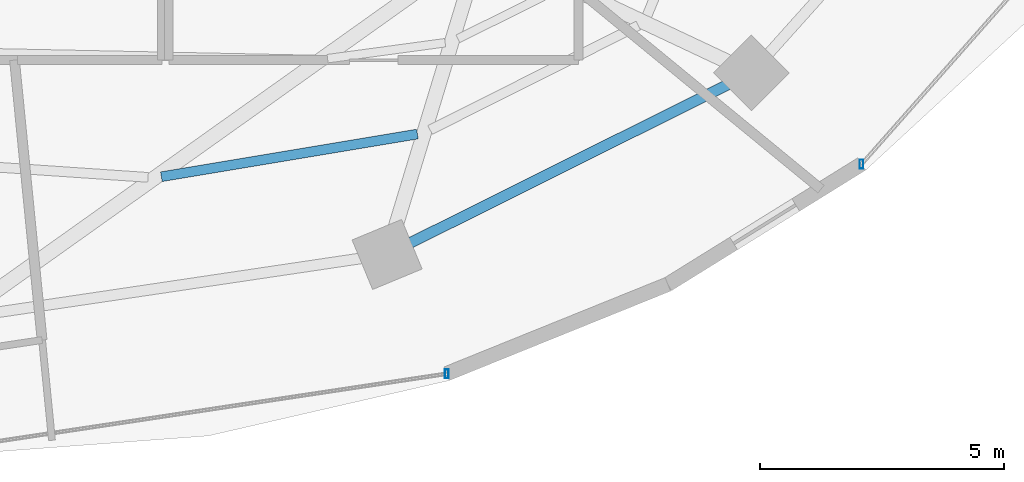
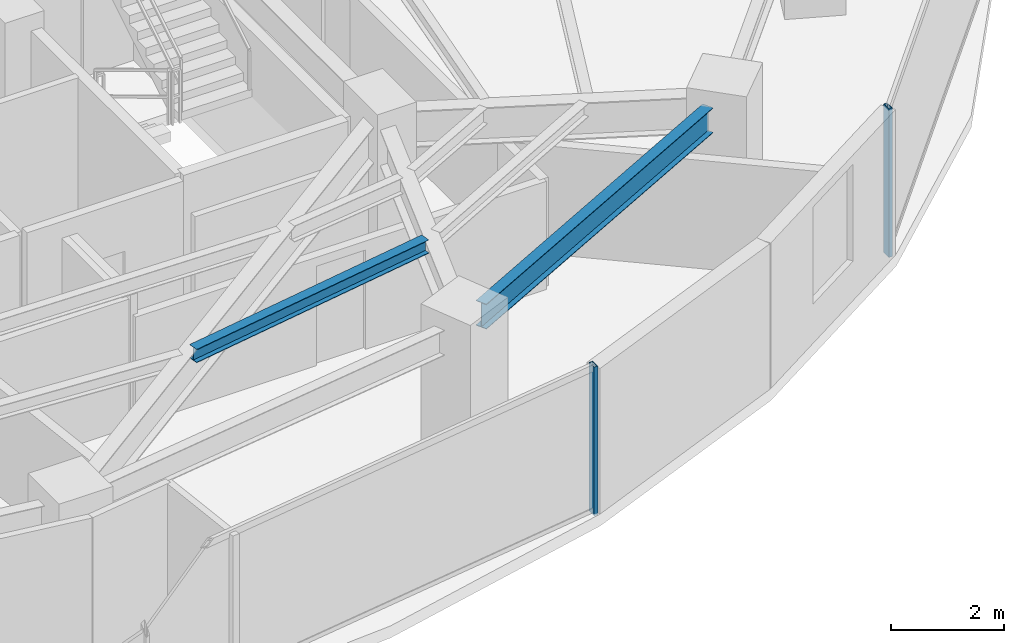
# One storey, part 11 of 29: 2 beams, 2 members, 2 elements without a shape of their own.
"""IFC4 building model written with IfcOpenShell, lengths in metres."""

import ifcopenshell
import ifcopenshell.guid

model = None  # the IFC model being written
_history = None  # IfcOwnerHistory: only IFC2X3 demands one
_inside = {}  # id of a spatial element -> (the spatial element, [elements in it])
_under = {}  # id of a project, library or spatial element -> (it, [spatial elements below it])
_declared = {}  # id of a project -> (the project, [libraries it declares])
_typed = {}  # id of a type object -> (the type object, [elements of that type])
_made_of = {}  # id of a material, layer set ... -> (it, [elements and type objects made of it])


def new_model(schema):
    """Start an empty IFC model of exactly this schema.

    Asked for "IFC4X3", IfcOpenShell would pick the latest addendum, in which some entities
    have other attributes; the version numbers below select the first issue.
    IFC2X3 requires an IfcOwnerHistory on every rooted entity: one is made here for all.
    """
    global model, _history
    if schema == "IFC4X3":
        model = ifcopenshell.file(schema_version=(4, 3, 0, 0))
    else:
        model = ifcopenshell.file(schema=schema)
    _inside.clear()
    _under.clear()
    _declared.clear()
    _typed.clear()
    _made_of.clear()
    _history = None
    if model.schema == "IFC2X3":
        org = make("IfcOrganization", Name="unknown")
        user = make(
            "IfcPersonAndOrganization",
            ThePerson=make("IfcPerson", FamilyName="unknown"),
            TheOrganization=org,
        )
        app = make(
            "IfcApplication",
            ApplicationDeveloper=org,
            Version="unknown",
            ApplicationFullName="unknown",
            ApplicationIdentifier="unknown",
        )
        _history = make(
            "IfcOwnerHistory",
            OwningUser=user,
            OwningApplication=app,
            ChangeAction="ADDED",
            CreationDate=0,
        )
    return model


def make(cls, **values):
    """One entity of the class cls with the attributes given. An attribute that is None is left unset."""
    return model.create_entity(
        cls, **{name: value for name, value in values.items() if value is not None}
    )


def rooted(cls, **values):
    """An entity with a GlobalId (a new one), such as an element, a storey or a relation."""
    return make(cls, GlobalId=ifcopenshell.guid.new(), OwnerHistory=_history, **values)


def si_unit(unit_type, name, prefix=None):
    """IfcSIUnit, for example si_unit("LENGTHUNIT", "METRE", prefix="MILLI")."""
    return make("IfcSIUnit", UnitType=unit_type, Prefix=prefix, Name=name)


def assignment(units):
    """IfcUnitAssignment: the units of a project."""
    return None if units is None else make("IfcUnitAssignment", Units=units)


def point(xyz):
    """IfcCartesianPoint."""
    return None if xyz is None else make("IfcCartesianPoint", Coordinates=xyz)


def direction(xyz):
    """IfcDirection."""
    return None if xyz is None else make("IfcDirection", DirectionRatios=xyz)


def frame(location, z_axis=None, x_axis=None):
    """IfcAxis2Placement3D, a coordinate frame: its origin and axes. An axis left out is left unset."""
    return make(
        "IfcAxis2Placement3D",
        Location=point(location),
        Axis=direction(z_axis),
        RefDirection=direction(x_axis),
    )


def frame_2d(location, x_axis=None):
    """IfcAxis2Placement2D, a coordinate frame in the plane: its origin and x axis."""
    return make(
        "IfcAxis2Placement2D", Location=point(location), RefDirection=direction(x_axis)
    )


def origin():
    """The frame at (0, 0, 0) with its axes left unset."""
    return frame((0.0, 0.0, 0.0))


def origin_2d():
    """The frame at (0, 0) in the plane with its x axis left unset."""
    return frame_2d((0.0, 0.0))


def place(relative_to, where):
    """IfcLocalPlacement: puts the frame where relative to a parent placement (None: the world)."""
    return make(
        "IfcLocalPlacement", PlacementRelTo=relative_to, RelativePlacement=where
    )


def context(
    kind, dimensions, precision=None, world=None, true_north=None, identifier=None
):
    """IfcGeometricRepresentationContext, for example the 3D "Model" context."""
    return make(
        "IfcGeometricRepresentationContext",
        ContextIdentifier=identifier,
        ContextType=kind,
        CoordinateSpaceDimension=dimensions,
        Precision=precision,
        WorldCoordinateSystem=world,
        TrueNorth=true_north,
    )


def subcontext(parent, identifier, kind, view, scale=None):
    """IfcGeometricRepresentationSubContext, for example "Body" below "Model"."""
    return make(
        "IfcGeometricRepresentationSubContext",
        ContextIdentifier=identifier,
        ContextType=kind,
        ParentContext=parent,
        TargetScale=scale,
        TargetView=view,
    )


def project(units=None, contexts=None):
    """IfcProject with its units and contexts."""
    return rooted(
        "IfcProject",
        Name="project",
        RepresentationContexts=contexts,
        UnitsInContext=assignment(units),
    )


def spatial(cls, under=None, at=None, **own):
    """A site, building, storey or space (cls), placed at a placement, below another one or the project."""
    s = rooted(cls, ObjectPlacement=at, **own)
    if under is not None:
        _under.setdefault(under.id(), (under, []))[1].append(s)
    return s


def profile(cls, at=None, kind="AREA", **sizes):
    """A parametric profile (cls). Its sizes go by their IFC names, for example OverallWidth=200.0."""
    return make(cls, ProfileType=kind, Position=at, **sizes)


def hollow_rectangle(**sizes):
    """IfcRectangleHollowProfileDef."""
    return profile("IfcRectangleHollowProfileDef", **sizes)


def i_section(**sizes):
    """IfcIShapeProfileDef."""
    return profile("IfcIShapeProfileDef", **sizes)


def extrude(swept, where, along, depth):
    """IfcExtrudedAreaSolid: the profile swept, set in the frame where, extruded along a direction by depth."""
    return make(
        "IfcExtrudedAreaSolid",
        SweptArea=swept,
        Position=where,
        ExtrudedDirection=direction(along),
        Depth=depth,
    )


def shape(context_of_items, identifier, shape_type, items):
    """IfcShapeRepresentation: the items that make up one representation, for example the "Body"."""
    return make(
        "IfcShapeRepresentation",
        ContextOfItems=context_of_items,
        RepresentationIdentifier=identifier,
        RepresentationType=shape_type,
        Items=items,
    )


def material(Name=None, Category=None):
    """IfcMaterial."""
    return make("IfcMaterial", Name=Name, Category=Category)


def material_profile(
    of_material, cross_section, Name=None, Category=None, Priority=None
):
    """IfcMaterialProfile: a cross section and its material."""
    return make(
        "IfcMaterialProfile",
        Name=Name,
        Material=of_material,
        Profile=cross_section,
        Priority=Priority,
        Category=Category,
    )


def profile_set(profiles, Name=None, composite=None):
    """IfcMaterialProfileSet."""
    return make(
        "IfcMaterialProfileSet",
        Name=Name,
        MaterialProfiles=profiles,
        CompositeProfile=composite,
    )


def made_of(thing, what):
    """Note that an element or type object is made of a material, layer set ...; save() writes the relation."""
    if what is not None:
        _made_of.setdefault(what.id(), (what, []))[1].append(thing)
    return thing


def type_object(cls, material=None, **own):
    """A type object (cls), such as IfcWallType, which elements share."""
    return made_of(rooted(cls, **own), material)


def element(
    cls,
    number,
    at=None,
    inside=None,
    cuts=None,
    type_object=None,
    material=None,
    context=None,
    identifier="Body",
    shape_type=None,
    held_by="IfcProductDefinitionShape",
    body=None,
    shapes=None,
    **own,
):
    """One element of the class cls, such as IfcWall. Its Tag is "e" and its number.

    at: its placement. inside: the storey or other place that contains it. cuts: it is an
    opening in that element (IfcRelVoidsElement). A single representation is given by context,
    identifier, shape_type and body (its items); several are given by shapes. held_by: the class
    of the entity that holds the representations. save() writes the other relations.
    """
    e = rooted(cls, Tag="e%d" % number, ObjectPlacement=at, **own)
    if body is not None:
        shapes = [shape(context, identifier, shape_type, body)]
    if shapes is not None:
        e.Representation = make(held_by, Representations=shapes)
    if inside is not None:
        _inside.setdefault(inside.id(), (inside, []))[1].append(e)
    if cuts is not None:
        rooted(
            "IfcRelVoidsElement", RelatingBuildingElement=cuts, RelatedOpeningElement=e
        )
    if type_object is not None:
        _typed.setdefault(type_object.id(), (type_object, []))[1].append(e)
    return made_of(e, material)


def aggregate(whole, parts):
    """IfcRelAggregates: a whole, such as a stair, and the parts it consists of."""
    return rooted("IfcRelAggregates", RelatingObject=whole, RelatedObjects=parts)


def save(model, path):
    """Write the relations noted so far, then the file.

    IfcRelAggregates (storeys below a building ...), IfcRelContainedInSpatialStructure (elements
    in a storey), IfcRelDefinesByType, IfcRelAssociatesMaterial and IfcRelDeclares: one each for
    every whole, place, type object, material and project.
    """
    for whole, parts in _under.values():
        aggregate(whole, parts)
    for where, things in _inside.values():
        rooted(
            "IfcRelContainedInSpatialStructure",
            RelatedElements=things,
            RelatingStructure=where,
        )
    for kind, things in _typed.values():
        rooted("IfcRelDefinesByType", RelatedObjects=things, RelatingType=kind)
    for what, things in _made_of.values():
        rooted("IfcRelAssociatesMaterial", RelatedObjects=things, RelatingMaterial=what)
    for by, libraries in _declared.values():
        rooted("IfcRelDeclares", RelatingContext=by, RelatedDefinitions=libraries)
    model.write(path)


model = new_model("IFC4")

# Units and contexts
model_context = context("Model", 3, precision=1e-05, world=origin(), true_north=direction((0.0, 1.0)))
body_context = subcontext(model_context, "Body", "Model", "MODEL_VIEW")
ifc_project = project(units=[si_unit("LENGTHUNIT", "METRE"), si_unit("AREAUNIT", "SQUARE_METRE"), si_unit("VOLUMEUNIT", "CUBIC_METRE"), si_unit("PLANEANGLEUNIT", "RADIAN"), si_unit("MASSUNIT", "GRAM", prefix="KILO")], contexts=[model_context])

# Site, building, storey
site_placement = place(None, origin())
site = spatial("IfcSite", under=ifc_project, at=site_placement, CompositionType="ELEMENT")
building_placement = place(site_placement, origin())
building = spatial("IfcBuilding", under=site, at=building_placement, Name="Vorneva Point Tower", CompositionType="ELEMENT")
storey_placement = place(building_placement, frame((0.0, 0.0, 120.800048828125)))
storey = spatial("IfcBuildingStorey", under=building, at=storey_placement, Name="L32", CompositionType="ELEMENT", Elevation=120.800048828125)

# Beams
ifc_material_1 = material(Name="Steel S355", Category="steel")
ifc_material_profile_1 = material_profile(ifc_material_1, i_section(OverallWidth=0.199951171875, OverallDepth=0.291015625, WebThickness=0.008056640625, FlangeThickness=0.010986328125, at=origin_2d()), Name="30Sh1")
ifc_profile_set_1 = profile_set([ifc_material_profile_1], Name="Steel S355")
beam_type_1 = type_object("IfcBeamType", Name="BM-SEC-30Sh1", PredefinedType="BEAM", material=ifc_profile_set_1)
beam_1_placement = place(storey_placement, frame((42.18701171875, 11.705322265625, 3.00439453125), z_axis=(0.986391447478, 0.164413844743, 0.0), x_axis=(-0.164413844743, 0.986391447478, 0.0)))
element("IfcBeam", 1, at=beam_1_placement, inside=storey, type_object=beam_type_1, Name="L32 Secondary Floor Beam 1.13", PredefinedType="BEAM", context=body_context, shape_type="SweptSolid", body=[
    extrude(i_section(OverallWidth=0.199951171875, OverallDepth=0.291015625, WebThickness=0.008056640625, FlangeThickness=0.010986328125, at=origin_2d()), origin(), (0.0, 0.0, 1.0), 5.329345703125),
])
ifc_material_profile_2 = material_profile(ifc_material_1, i_section(OverallWidth=0.219970703125, OverallDepth=0.54296875, WebThickness=0.009521484375, FlangeThickness=0.013427734375, at=origin_2d()), Name="55B1")
ifc_profile_set_2 = profile_set([ifc_material_profile_2], Name="Steel S355")
beam_type_2 = type_object("IfcBeamType", Name="BM-SPN-55B1", PredefinedType="SPANDREL", material=ifc_profile_set_2)
beam_2_placement = place(storey_placement, frame((47.2998046875, 10.347900390625, 2.87841796875), z_axis=(0.894915882304, 0.446234874926, 0.0), x_axis=(-0.446234874926, 0.894915882304, 0.0)))
element("IfcBeam", 2, at=beam_2_placement, inside=storey, type_object=beam_type_2, Name="L32 Perimeter Spandrel Ring Beam 14", PredefinedType="SPANDREL", context=body_context, shape_type="SweptSolid", body=[
    extrude(i_section(OverallWidth=0.219970703125, OverallDepth=0.54296875, WebThickness=0.009521484375, FlangeThickness=0.013427734375, at=origin_2d()), origin(), (0.0, 0.0, 1.0), 7.285888671875),
])

# Curtain wall, member
ifc_material_2 = material(Name="Pale anodised aluminium", Category="aluminium")
curtain_wall_type = type_object("IfcCurtainWallType", Name="CW-HTL-SYS", PredefinedType="NOTDEFINED", material=ifc_material_2)
curtain_wall_1_placement = place(storey_placement, origin())
curtain_wall_1 = element("IfcCurtainWall", 3, at=curtain_wall_1_placement, inside=storey, type_object=curtain_wall_type, Name="L32 Unitised Curtain Wall CW-L32-R03", PredefinedType="NOTDEFINED")
ifc_material_profile_3 = material_profile(ifc_material_2, hollow_rectangle(XDim=0.074951171875, YDim=0.179931640625, WallThickness=0.00390625, at=origin_2d()), Name="AL-MUL 180x75x4")
ifc_profile_set_3 = profile_set([ifc_material_profile_3], Name="Pale anodised aluminium")
member_type = type_object("IfcMemberType", Name="CW-MUL-180", PredefinedType="MULLION", material=ifc_profile_set_3)
member_1_placement = place(storey_placement, frame((48.04541015625, 7.660888671875, -0.0400390625), z_axis=(0.0, 0.0, 1.0), x_axis=(1.0, 0.0, 0.0)))
member_1 = element("IfcMember", 4, at=member_1_placement, type_object=member_type, Name="CW-L32-R03 Mullion 04", PredefinedType="MULLION", context=body_context, shape_type="SweptSolid", body=[
    extrude(hollow_rectangle(XDim=0.074951171875, YDim=0.179931640625, WallThickness=0.00390625, at=origin_2d()), origin(), (0.0, 0.0, 1.0), 3.219970703125),
])
aggregate(curtain_wall_1, [member_1])

curtain_wall_2_placement = place(storey_placement, origin())
curtain_wall_2 = element("IfcCurtainWall", 5, at=curtain_wall_2_placement, inside=storey, type_object=curtain_wall_type, Name="L32 Unitised Curtain Wall CW-L32-R04", PredefinedType="NOTDEFINED")
member_2_placement = place(storey_placement, frame((56.5615234375, 11.9638671875, -0.0400390625), z_axis=(0.0, 0.0, 1.0), x_axis=(1.0, 0.0, 0.0)))
member_2 = element("IfcMember", 6, at=member_2_placement, type_object=member_type, Name="CW-L32-R04 Mullion 01", PredefinedType="MULLION", context=body_context, shape_type="SweptSolid", body=[
    extrude(hollow_rectangle(XDim=0.074951171875, YDim=0.179931640625, WallThickness=0.00390625, at=origin_2d()), origin(), (0.0, 0.0, 1.0), 3.219970703125),
])
aggregate(curtain_wall_2, [member_2])

save(model, "model.ifc")
